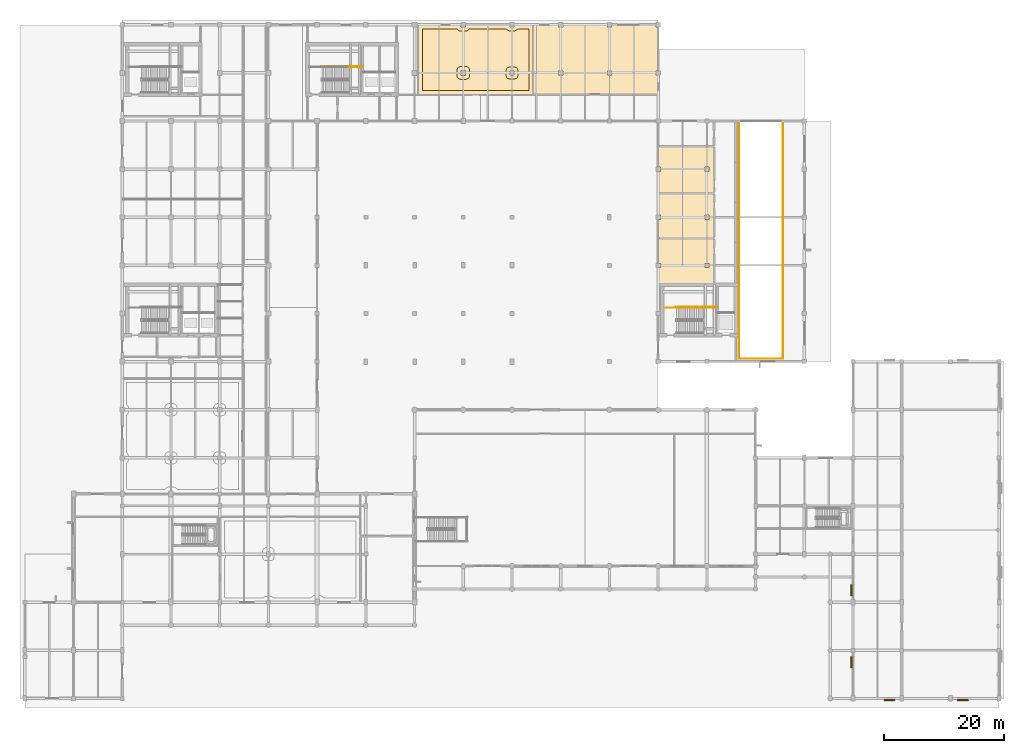
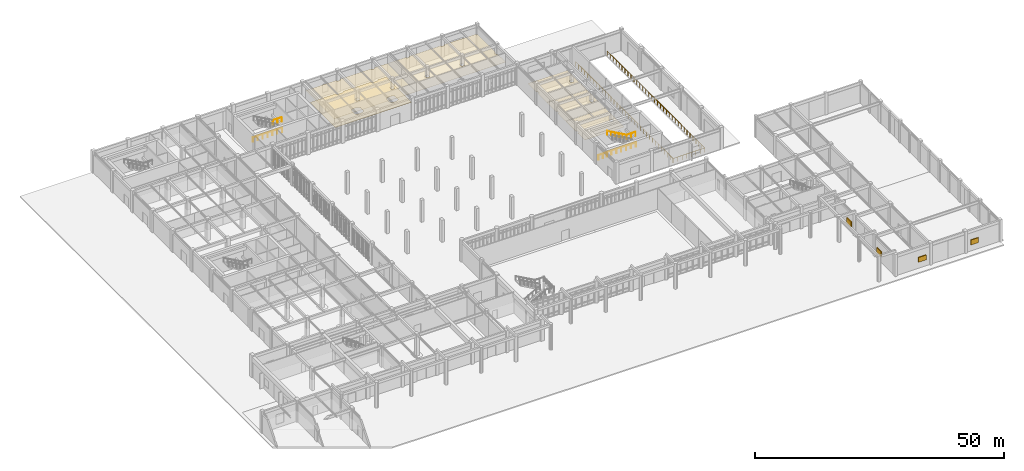
# One storey, part 59 of 62: 7 railings, 6 coverings, 4 shading devices.
"""IFC4 building model written with IfcOpenShell, lengths in metres."""

from ifc_helpers import new_model, si_unit, direction, frame, origin, origin_2d, place, context, subcontext, project, spatial, polyline, rectangle, circle, outline, extrude, material, layer, layer_set, type_object, element, save


model = new_model("IFC4")

# Units and contexts
model_context = context("Model", 3, precision=1e-05, world=origin(), true_north=direction((0.0, 1.0)))
body_context = subcontext(model_context, "Body", "Model", "MODEL_VIEW")
ifc_project = project(units=[si_unit("LENGTHUNIT", "METRE"), si_unit("AREAUNIT", "SQUARE_METRE"), si_unit("VOLUMEUNIT", "CUBIC_METRE"), si_unit("PLANEANGLEUNIT", "RADIAN"), si_unit("MASSUNIT", "GRAM", prefix="KILO")], contexts=[model_context])

# Site, building, storey
site_placement = place(None, origin())
site = spatial("IfcSite", under=ifc_project, at=site_placement, CompositionType="ELEMENT")
building_placement = place(site_placement, origin())
building = spatial("IfcBuilding", under=site, at=building_placement, Name="Tarnveldt Square Police Headquarters", CompositionType="ELEMENT")
storey_placement = place(building_placement, origin())
storey = spatial("IfcBuildingStorey", under=building, at=storey_placement, Name="L00", CompositionType="ELEMENT", Elevation=0.0)

# Coverings
ifc_material_1 = material(Name="Mineral-fibre acoustic ceiling tile", Category="gypsum")
ifc_layer_1 = layer(ifc_material_1, 0.02001953125)
ifc_layer_set_1 = layer_set([ifc_layer_1], Name="Mineral-fibre acoustic ceiling tile")
covering_type_1 = type_object("IfcCoveringType", Name="COV-CEIL-20", PredefinedType="CEILING", material=ifc_layer_set_1)
covering_1_placement = place(storey_placement, frame((0.0, 0.0, 2.75)))
element("IfcCovering", 1, at=covering_1_placement, inside=storey, type_object=covering_type_1, Name="Drive-Through Vehicular Sally Port Acoustic Ceiling", PredefinedType="CEILING", context=body_context, shape_type="SweptSolid", body=[
    extrude(outline(polyline([(105.35009765625, 91.75), (114.550048828125, 91.75), (114.550048828125, 84.050048828125), (105.35009765625, 84.050048828125), (105.35009765625, 87.64794921875), (105.652099609375, 87.64794921875), (105.652099609375, 88.35205078125), (105.35009765625, 88.35205078125), (105.35009765625, 91.75)]), holes=[polyline([(113.751953125, 88.35205078125), (113.048095703125, 88.35205078125), (113.048095703125, 87.64794921875), (113.751953125, 87.64794921875), (113.751953125, 88.35205078125)])]), origin(), (0.0, 0.0, 1.0), 0.02001953125),
])
covering_2_placement = place(storey_placement, frame((0.0, 0.0, 2.75)))
element("IfcCovering", 2, at=covering_2_placement, inside=storey, type_object=covering_type_1, Name="Custody Suite Booking and Charge Desk Acoustic Ceiling", PredefinedType="CEILING", context=body_context, shape_type="SweptSolid", body=[
    extrude(outline(polyline([(105.35009765625, 76.449951171875), (114.550048828125, 76.449951171875), (114.550048828125, 68.85009765625), (105.35009765625, 68.85009765625), (105.35009765625, 71.64794921875), (105.652099609375, 71.64794921875), (105.652099609375, 72.35205078125), (105.35009765625, 72.35205078125), (105.35009765625, 76.449951171875)]), holes=[polyline([(113.751953125, 72.35205078125), (113.048095703125, 72.35205078125), (113.048095703125, 71.64794921875), (113.751953125, 71.64794921875), (113.751953125, 72.35205078125)])]), origin(), (0.0, 0.0, 1.0), 0.02001953125),
])
covering_3_placement = place(storey_placement, frame((0.0, 0.0, 2.75)))
element("IfcCovering", 3, at=covering_3_placement, inside=storey, type_object=covering_type_1, Name="Custody Suite Adult Holding Cells Acoustic Ceiling", PredefinedType="CEILING", context=body_context, shape_type="SweptSolid", body=[
    extrude(outline(polyline([(105.35009765625, 83.949951171875), (114.550048828125, 83.949951171875), (114.550048828125, 76.550048828125), (105.35009765625, 76.550048828125), (105.35009765625, 79.64794921875), (105.652099609375, 79.64794921875), (105.652099609375, 80.35205078125), (105.35009765625, 80.35205078125), (105.35009765625, 83.949951171875)]), holes=[polyline([(113.048095703125, 80.35205078125), (113.048095703125, 79.64794921875), (113.751953125, 79.64794921875), (113.751953125, 80.35205078125), (113.048095703125, 80.35205078125)])]), origin(), (0.0, 0.0, 1.0), 0.02001953125),
])
covering_4_placement = place(storey_placement, frame((0.0, 0.0, 2.75)))
element("IfcCovering", 4, at=covering_4_placement, inside=storey, type_object=covering_type_1, Name="Forensic Evidence Intake Laboratory Acoustic Ceiling", PredefinedType="CEILING", context=body_context, shape_type="SweptSolid", body=[
    extrude(outline(polyline([(84.449951171875, 111.949951171875), (84.449951171875, 100.449951171875), (65.449951171875, 100.449951171875), (65.449951171875, 111.949951171875), (72.498046875, 111.949951171875), (72.498046875, 111.597900390625), (73.302001953125, 111.597900390625), (73.302001953125, 111.949951171875), (80.64794921875, 111.949951171875), (80.64794921875, 111.64794921875), (81.35205078125, 111.64794921875), (81.35205078125, 111.949951171875), (84.449951171875, 111.949951171875)]), holes=[polyline([(81.35205078125, 104.35205078125), (80.64794921875, 104.35205078125), (80.64794921875, 103.64794921875), (81.35205078125, 103.64794921875), (81.35205078125, 104.35205078125)]), polyline([(73.302001953125, 104.402099609375), (72.498046875, 104.402099609375), (72.498046875, 103.597900390625), (73.302001953125, 103.597900390625), (73.302001953125, 104.402099609375)])]), origin(), (0.0, 0.0, 1.0), 0.02001953125),
])
covering_5_placement = place(storey_placement, frame((0.0, 0.0, 2.75)))
element("IfcCovering", 5, at=covering_5_placement, inside=storey, type_object=covering_type_1, Name="Vehicle Forensic Examination Bay Acoustic Ceiling", PredefinedType="CEILING", context=body_context, shape_type="SweptSolid", body=[
    extrude(outline(polyline([(105.25, 100.449951171875), (84.550048828125, 100.449951171875), (84.550048828125, 111.949951171875), (88.748046875, 111.949951171875), (88.748046875, 111.64794921875), (89.451904296875, 111.64794921875), (89.451904296875, 111.949951171875), (96.847900390625, 111.949951171875), (96.847900390625, 111.64794921875), (97.552001953125, 111.64794921875), (97.552001953125, 111.949951171875), (104.947998046875, 111.949951171875), (104.947998046875, 111.64794921875), (105.25, 111.64794921875), (105.25, 104.35205078125), (104.947998046875, 104.35205078125), (104.947998046875, 103.64794921875), (105.25, 103.64794921875), (105.25, 100.449951171875)]), holes=[polyline([(97.552001953125, 104.35205078125), (96.847900390625, 104.35205078125), (96.847900390625, 103.64794921875), (97.552001953125, 103.64794921875), (97.552001953125, 104.35205078125)]), polyline([(89.451904296875, 104.35205078125), (88.748046875, 104.35205078125), (88.748046875, 103.64794921875), (89.451904296875, 103.64794921875), (89.451904296875, 104.35205078125)])]), origin(), (0.0, 0.0, 1.0), 0.02001953125),
])
ifc_material_2 = material(Name="Polished cementitious terrazzo flooring", Category="concrete")
ifc_layer_2 = layer(ifc_material_2, 0.02490234375)
ifc_layer_set_2 = layer_set([ifc_layer_2], Name="Polished cementitious terrazzo flooring")
covering_type_2 = type_object("IfcCoveringType", Name="COV-FLR-25", PredefinedType="FLOORING", material=ifc_layer_set_2)
covering_6_placement = place(storey_placement, origin())
element("IfcCovering", 6, at=covering_6_placement, inside=storey, type_object=covering_type_2, Name="Forensic Evidence Intake Laboratory Terrazzo Finish Flooring", PredefinedType="FLOORING", context=body_context, shape_type="SweptSolid", body=[
    extrude(outline(polyline([(71.920654296875, 111.300048828125), (71.9248046875, 111.29150390625), (71.95751953125, 111.23681640625), (71.99560546875, 111.185546875), (72.038330078125, 111.138427734375), (72.085693359375, 111.095458984375), (72.136962890625, 111.0576171875), (72.191650390625, 111.024658203125), (72.249267578125, 110.99755859375), (72.309326171875, 110.97607421875), (72.37109375, 110.96044921875), (72.434326171875, 110.951171875), (72.498046875, 110.947998046875), (73.302001953125, 110.947998046875), (73.36572265625, 110.951171875), (73.4287109375, 110.96044921875), (73.49072265625, 110.97607421875), (73.55078125, 110.99755859375), (73.6083984375, 111.024658203125), (73.6630859375, 111.0576171875), (73.71435546875, 111.095458984375), (73.76171875, 111.138427734375), (73.804443359375, 111.185546875), (73.842529296875, 111.23681640625), (73.875244140625, 111.29150390625), (73.879150390625, 111.300048828125), (80.099609375, 111.300048828125), (80.107666015625, 111.286865234375), (80.1455078125, 111.235595703125), (80.1884765625, 111.1884765625), (80.235595703125, 111.1455078125), (80.286865234375, 111.107666015625), (80.341552734375, 111.07470703125), (80.399169921875, 111.04736328125), (80.459228515625, 111.02587890625), (80.521240234375, 111.010498046875), (80.584228515625, 111.001220703125), (80.64794921875, 110.998046875), (81.35205078125, 110.998046875), (81.415771484375, 111.001220703125), (81.478759765625, 111.010498046875), (81.540771484375, 111.02587890625), (81.600830078125, 111.04736328125), (81.658447265625, 111.07470703125), (81.713134765625, 111.107666015625), (81.764404296875, 111.1455078125), (81.8115234375, 111.1884765625), (81.8544921875, 111.235595703125), (81.892333984375, 111.286865234375), (81.900390625, 111.300048828125), (83.800048828125, 111.300048828125), (83.800048828125, 101.10009765625), (66.10009765625, 101.10009765625), (66.10009765625, 111.300048828125), (71.920654296875, 111.300048828125)]), holes=[polyline([(82.001953125, 104.35205078125), (81.998779296875, 104.415771484375), (81.989501953125, 104.478759765625), (81.97412109375, 104.540771484375), (81.95263671875, 104.600830078125), (81.92529296875, 104.658447265625), (81.892333984375, 104.713134765625), (81.8544921875, 104.764404296875), (81.8115234375, 104.8115234375), (81.764404296875, 104.8544921875), (81.713134765625, 104.892333984375), (81.658447265625, 104.92529296875), (81.600830078125, 104.95263671875), (81.540771484375, 104.97412109375), (81.478759765625, 104.989501953125), (81.415771484375, 104.998779296875), (81.35205078125, 105.001953125), (80.64794921875, 105.001953125), (80.584228515625, 104.998779296875), (80.521240234375, 104.989501953125), (80.459228515625, 104.97412109375), (80.399169921875, 104.95263671875), (80.341552734375, 104.92529296875), (80.286865234375, 104.892333984375), (80.235595703125, 104.8544921875), (80.1884765625, 104.8115234375), (80.1455078125, 104.764404296875), (80.107666015625, 104.713134765625), (80.07470703125, 104.658447265625), (80.04736328125, 104.600830078125), (80.02587890625, 104.540771484375), (80.010498046875, 104.478759765625), (80.001220703125, 104.415771484375), (79.998046875, 104.35205078125), (79.998046875, 103.64794921875), (80.001220703125, 103.584228515625), (80.010498046875, 103.521240234375), (80.02587890625, 103.459228515625), (80.04736328125, 103.399169921875), (80.07470703125, 103.341552734375), (80.107666015625, 103.286865234375), (80.1455078125, 103.235595703125), (80.1884765625, 103.1884765625), (80.235595703125, 103.1455078125), (80.286865234375, 103.107666015625), (80.341552734375, 103.07470703125), (80.399169921875, 103.04736328125), (80.459228515625, 103.02587890625), (80.521240234375, 103.010498046875), (80.584228515625, 103.001220703125), (80.64794921875, 102.998046875), (81.35205078125, 102.998046875), (81.415771484375, 103.001220703125), (81.478759765625, 103.010498046875), (81.540771484375, 103.02587890625), (81.600830078125, 103.04736328125), (81.658447265625, 103.07470703125), (81.713134765625, 103.107666015625), (81.764404296875, 103.1455078125), (81.8115234375, 103.1884765625), (81.8544921875, 103.235595703125), (81.892333984375, 103.286865234375), (81.92529296875, 103.341552734375), (81.95263671875, 103.399169921875), (81.97412109375, 103.459228515625), (81.989501953125, 103.521240234375), (81.998779296875, 103.584228515625), (82.001953125, 103.64794921875), (82.001953125, 104.35205078125)]), polyline([(73.951904296875, 104.402099609375), (73.948974609375, 104.4658203125), (73.939453125, 104.52880859375), (73.924072265625, 104.590576171875), (73.902587890625, 104.650634765625), (73.875244140625, 104.70849609375), (73.842529296875, 104.76318359375), (73.804443359375, 104.814453125), (73.76171875, 104.861572265625), (73.71435546875, 104.904541015625), (73.6630859375, 104.9423828125), (73.6083984375, 104.975341796875), (73.55078125, 105.00244140625), (73.49072265625, 105.02392578125), (73.4287109375, 105.03955078125), (73.36572265625, 105.048828125), (73.302001953125, 105.052001953125), (72.498046875, 105.052001953125), (72.434326171875, 105.048828125), (72.37109375, 105.03955078125), (72.309326171875, 105.02392578125), (72.249267578125, 105.00244140625), (72.191650390625, 104.975341796875), (72.136962890625, 104.9423828125), (72.085693359375, 104.904541015625), (72.038330078125, 104.861572265625), (71.99560546875, 104.814453125), (71.95751953125, 104.76318359375), (71.9248046875, 104.70849609375), (71.8974609375, 104.650634765625), (71.8759765625, 104.590576171875), (71.860595703125, 104.52880859375), (71.85107421875, 104.4658203125), (71.847900390625, 104.402099609375), (71.847900390625, 103.597900390625), (71.85107421875, 103.5341796875), (71.860595703125, 103.47119140625), (71.8759765625, 103.409423828125), (71.8974609375, 103.349365234375), (71.9248046875, 103.29150390625), (71.95751953125, 103.23681640625), (71.99560546875, 103.185546875), (72.038330078125, 103.138427734375), (72.085693359375, 103.095458984375), (72.136962890625, 103.0576171875), (72.191650390625, 103.024658203125), (72.249267578125, 102.99755859375), (72.309326171875, 102.97607421875), (72.37109375, 102.96044921875), (72.434326171875, 102.951171875), (72.498046875, 102.947998046875), (73.302001953125, 102.947998046875), (73.36572265625, 102.951171875), (73.4287109375, 102.96044921875), (73.49072265625, 102.97607421875), (73.55078125, 102.99755859375), (73.6083984375, 103.024658203125), (73.6630859375, 103.0576171875), (73.71435546875, 103.095458984375), (73.76171875, 103.138427734375), (73.804443359375, 103.185546875), (73.842529296875, 103.23681640625), (73.875244140625, 103.29150390625), (73.902587890625, 103.349365234375), (73.924072265625, 103.409423828125), (73.939453125, 103.47119140625), (73.948974609375, 103.5341796875), (73.951904296875, 103.597900390625), (73.951904296875, 104.402099609375)])]), origin(), (0.0, 0.0, 1.0), 0.02490234375),
])

# Railings
ifc_material_3 = material(Name="Steel 350W", Category="steel")
railing_type_1 = type_object("IfcRailingType", Name="RL-GR-1100", PredefinedType="GUARDRAIL", material=ifc_material_3)
railing_1_placement = place(storey_placement, frame((53.8701171875, 104.969970703125, 2.699951171875)))
element("IfcRailing", 7, at=railing_1_placement, inside=storey, type_object=railing_type_1, Name="L00 ST3 stair guard 3", PredefinedType="GUARDRAIL", context=body_context, shape_type="SweptSolid", body=[
    extrude(circle(Radius=0.02392578125, at=origin_2d()), frame((0.0, 0.0, 1.076171875), z_axis=(1.0, 0.0, 0.0), x_axis=(0.0, 1.0, 0.0)), (0.0, 0.0, 1.0), 2.099853515625),
    extrude(circle(Radius=0.02099609375, at=origin_2d()), origin(), (0.0, 0.0, 1.0), 1.052001953125),
    extrude(circle(Radius=0.02099609375, at=origin_2d()), frame((1.0498046875, 0.0, 0.0)), (0.0, 0.0, 1.0), 1.052001953125),
    extrude(circle(Radius=0.02099609375, at=origin_2d()), frame((2.099853515625, 0.0, 0.0)), (0.0, 0.0, 1.0), 1.052001953125),
])
railing_2_placement = place(storey_placement, frame((49.27001953125, 105.070068359375, 0.0)))
element("IfcRailing", 8, at=railing_2_placement, inside=storey, type_object=railing_type_1, Name="L00 ST3 stair guard 7", PredefinedType="GUARDRAIL", context=body_context, shape_type="SweptSolid", body=[
    extrude(circle(Radius=0.02392578125, at=origin_2d()), frame((0.0, 0.0, 1.076171875), z_axis=(1.0, 0.0, 0.0), x_axis=(0.0, 1.0, 0.0)), (0.0, 0.0, 1.0), 6.800048828125),
    extrude(circle(Radius=0.02099609375, at=origin_2d()), origin(), (0.0, 0.0, 1.0), 1.052001953125),
    extrude(circle(Radius=0.02099609375, at=origin_2d()), frame((1.13330078125, 0.0, 0.0)), (0.0, 0.0, 1.0), 1.052001953125),
    extrude(circle(Radius=0.02099609375, at=origin_2d()), frame((2.2666015625, 0.0, 0.0)), (0.0, 0.0, 1.0), 1.052001953125),
    extrude(circle(Radius=0.02099609375, at=origin_2d()), frame((3.39990234375, 0.0, 0.0)), (0.0, 0.0, 1.0), 1.052001953125),
    extrude(circle(Radius=0.02099609375, at=origin_2d()), frame((4.533447265625, 0.0, 0.0)), (0.0, 0.0, 1.0), 1.052001953125),
    extrude(circle(Radius=0.02099609375, at=origin_2d()), frame((5.666748046875, 0.0, 0.0)), (0.0, 0.0, 1.0), 1.052001953125),
    extrude(circle(Radius=0.02099609375, at=origin_2d()), frame((6.800048828125, 0.0, 0.0)), (0.0, 0.0, 1.0), 1.052001953125),
])
railing_3_placement = place(storey_placement, frame((112.8701171875, 64.969970703125, 2.699951171875)))
element("IfcRailing", 9, at=railing_3_placement, inside=storey, type_object=railing_type_1, Name="L00 ST4 stair guard 3", PredefinedType="GUARDRAIL", context=body_context, shape_type="SweptSolid", body=[
    extrude(circle(Radius=0.02392578125, at=origin_2d()), frame((0.0, 0.0, 1.076171875), z_axis=(1.0, 0.0, 0.0), x_axis=(0.0, 1.0, 0.0)), (0.0, 0.0, 1.0), 2.099853515625),
    extrude(circle(Radius=0.02099609375, at=origin_2d()), origin(), (0.0, 0.0, 1.0), 1.052001953125),
    extrude(circle(Radius=0.02099609375, at=origin_2d()), frame((1.0498046875, 0.0, 0.0)), (0.0, 0.0, 1.0), 1.052001953125),
    extrude(circle(Radius=0.02099609375, at=origin_2d()), frame((2.099853515625, 0.0, 0.0)), (0.0, 0.0, 1.0), 1.052001953125),
])
railing_4_placement = place(storey_placement, frame((106.320068359375, 64.969970703125, 0.0)))
element("IfcRailing", 10, at=railing_4_placement, inside=storey, type_object=railing_type_1, Name="L00 ST4 stair guard 6", PredefinedType="GUARDRAIL", context=body_context, shape_type="SweptSolid", body=[
    extrude(circle(Radius=0.02392578125, at=origin_2d()), frame((0.0, 0.0, 1.076171875), z_axis=(1.0, 0.0, 0.0), x_axis=(0.0, 1.0, 0.0)), (0.0, 0.0, 1.0), 2.050048828125),
    extrude(circle(Radius=0.02099609375, at=origin_2d()), origin(), (0.0, 0.0, 1.0), 1.052001953125),
    extrude(circle(Radius=0.02099609375, at=origin_2d()), frame((1.02490234375, 0.0, 0.0)), (0.0, 0.0, 1.0), 1.052001953125),
    extrude(circle(Radius=0.02099609375, at=origin_2d()), frame((2.050048828125, 0.0, 0.0)), (0.0, 0.0, 1.0), 1.052001953125),
])
railing_5_placement = place(storey_placement, frame((108.27001953125, 65.070068359375, 0.0)))
element("IfcRailing", 11, at=railing_5_placement, inside=storey, type_object=railing_type_1, Name="L00 ST4 stair guard 7", PredefinedType="GUARDRAIL", context=body_context, shape_type="SweptSolid", body=[
    extrude(circle(Radius=0.02392578125, at=origin_2d()), frame((0.0, 0.0, 1.076171875), z_axis=(1.0, 0.0, 0.0), x_axis=(0.0, 1.0, 0.0)), (0.0, 0.0, 1.0), 6.800048828125),
    extrude(circle(Radius=0.02099609375, at=origin_2d()), origin(), (0.0, 0.0, 1.0), 1.052001953125),
    extrude(circle(Radius=0.02099609375, at=origin_2d()), frame((1.13330078125, 0.0, 0.0)), (0.0, 0.0, 1.0), 1.052001953125),
    extrude(circle(Radius=0.02099609375, at=origin_2d()), frame((2.2666015625, 0.0, 0.0)), (0.0, 0.0, 1.0), 1.052001953125),
    extrude(circle(Radius=0.02099609375, at=origin_2d()), frame((3.39990234375, 0.0, 0.0)), (0.0, 0.0, 1.0), 1.052001953125),
    extrude(circle(Radius=0.02099609375, at=origin_2d()), frame((4.533447265625, 0.0, 0.0)), (0.0, 0.0, 1.0), 1.052001953125),
    extrude(circle(Radius=0.02099609375, at=origin_2d()), frame((5.666748046875, 0.0, 0.0)), (0.0, 0.0, 1.0), 1.052001953125),
    extrude(circle(Radius=0.02099609375, at=origin_2d()), frame((6.800048828125, 0.0, 0.0)), (0.0, 0.0, 1.0), 1.052001953125),
])
railing_6_placement = place(storey_placement, frame((118.719970703125, 95.64990234375, 0.0)))
element("IfcRailing", 12, at=railing_6_placement, inside=storey, type_object=railing_type_1, Name="Vehicle Ramp VR1 L00 Well Perimeter Guardrail", PredefinedType="GUARDRAIL", context=body_context, shape_type="SweptSolid", body=[
    extrude(circle(Radius=0.02392578125, at=origin_2d()), frame((0.0, 0.0, 1.076171875), z_axis=(0.0, -1.0, 0.0), x_axis=(1.0, 0.0, 0.0)), (0.0, 0.0, 1.0), 39.179931640625),
    extrude(circle(Radius=0.02392578125, at=origin_2d()), frame((0.0, -39.179931640625, 1.076171875), z_axis=(1.0, 0.0, 0.0), x_axis=(0.0, 1.0, 0.0)), (0.0, 0.0, 1.0), 7.360107421875),
    extrude(circle(Radius=0.02392578125, at=origin_2d()), frame((7.360107421875, -39.179931640625, 1.076171875), z_axis=(0.0, 1.0, 0.0), x_axis=(-1.0, 0.0, 0.0)), (0.0, 0.0, 1.0), 39.179931640625),
    extrude(circle(Radius=0.02099609375, at=origin_2d()), origin(), (0.0, 0.0, 1.0), 1.052001953125),
    extrude(circle(Radius=0.02099609375, at=origin_2d()), frame((0.0, -1.187255859375, 0.0)), (0.0, 0.0, 1.0), 1.052001953125),
    extrude(circle(Radius=0.02099609375, at=origin_2d()), frame((0.0, -2.37451171875, 0.0)), (0.0, 0.0, 1.0), 1.052001953125),
    extrude(circle(Radius=0.02099609375, at=origin_2d()), frame((0.0, -3.561767578125, 0.0)), (0.0, 0.0, 1.0), 1.052001953125),
    extrude(circle(Radius=0.02099609375, at=origin_2d()), frame((0.0, -4.7490234375, 0.0)), (0.0, 0.0, 1.0), 1.052001953125),
    extrude(circle(Radius=0.02099609375, at=origin_2d()), frame((0.0, -5.936279296875, 0.0)), (0.0, 0.0, 1.0), 1.052001953125),
    extrude(circle(Radius=0.02099609375, at=origin_2d()), frame((0.0, -7.12353515625, 0.0)), (0.0, 0.0, 1.0), 1.052001953125),
    extrude(circle(Radius=0.02099609375, at=origin_2d()), frame((0.0, -8.310791015625, 0.0)), (0.0, 0.0, 1.0), 1.052001953125),
    extrude(circle(Radius=0.02099609375, at=origin_2d()), frame((0.0, -9.498046875, 0.0)), (0.0, 0.0, 1.0), 1.052001953125),
    extrude(circle(Radius=0.02099609375, at=origin_2d()), frame((0.0, -10.685546875, 0.0)), (0.0, 0.0, 1.0), 1.052001953125),
    extrude(circle(Radius=0.02099609375, at=origin_2d()), frame((0.0, -11.872802734375, 0.0)), (0.0, 0.0, 1.0), 1.052001953125),
    extrude(circle(Radius=0.02099609375, at=origin_2d()), frame((0.0, -13.06005859375, 0.0)), (0.0, 0.0, 1.0), 1.052001953125),
    extrude(circle(Radius=0.02099609375, at=origin_2d()), frame((0.0, -14.247314453125, 0.0)), (0.0, 0.0, 1.0), 1.052001953125),
    extrude(circle(Radius=0.02099609375, at=origin_2d()), frame((0.0, -15.4345703125, 0.0)), (0.0, 0.0, 1.0), 1.052001953125),
    extrude(circle(Radius=0.02099609375, at=origin_2d()), frame((0.0, -16.621826171875, 0.0)), (0.0, 0.0, 1.0), 1.052001953125),
    extrude(circle(Radius=0.02099609375, at=origin_2d()), frame((0.0, -17.80908203125, 0.0)), (0.0, 0.0, 1.0), 1.052001953125),
    extrude(circle(Radius=0.02099609375, at=origin_2d()), frame((0.0, -18.996337890625, 0.0)), (0.0, 0.0, 1.0), 1.052001953125),
    extrude(circle(Radius=0.02099609375, at=origin_2d()), frame((0.0, -20.18359375, 0.0)), (0.0, 0.0, 1.0), 1.052001953125),
    extrude(circle(Radius=0.02099609375, at=origin_2d()), frame((0.0, -21.370849609375, 0.0)), (0.0, 0.0, 1.0), 1.052001953125),
    extrude(circle(Radius=0.02099609375, at=origin_2d()), frame((0.0, -22.55810546875, 0.0)), (0.0, 0.0, 1.0), 1.052001953125),
    extrude(circle(Radius=0.02099609375, at=origin_2d()), frame((0.0, -23.745361328125, 0.0)), (0.0, 0.0, 1.0), 1.052001953125),
    extrude(circle(Radius=0.02099609375, at=origin_2d()), frame((0.0, -24.9326171875, 0.0)), (0.0, 0.0, 1.0), 1.052001953125),
    extrude(circle(Radius=0.02099609375, at=origin_2d()), frame((0.0, -26.119873046875, 0.0)), (0.0, 0.0, 1.0), 1.052001953125),
    extrude(circle(Radius=0.02099609375, at=origin_2d()), frame((0.0, -27.30712890625, 0.0)), (0.0, 0.0, 1.0), 1.052001953125),
    extrude(circle(Radius=0.02099609375, at=origin_2d()), frame((0.0, -28.494384765625, 0.0)), (0.0, 0.0, 1.0), 1.052001953125),
    extrude(circle(Radius=0.02099609375, at=origin_2d()), frame((0.0, -29.681884765625, 0.0)), (0.0, 0.0, 1.0), 1.052001953125),
    extrude(circle(Radius=0.02099609375, at=origin_2d()), frame((0.0, -30.869140625, 0.0)), (0.0, 0.0, 1.0), 1.052001953125),
    extrude(circle(Radius=0.02099609375, at=origin_2d()), frame((0.0, -32.056396484375, 0.0)), (0.0, 0.0, 1.0), 1.052001953125),
    extrude(circle(Radius=0.02099609375, at=origin_2d()), frame((0.0, -33.24365234375, 0.0)), (0.0, 0.0, 1.0), 1.052001953125),
    extrude(circle(Radius=0.02099609375, at=origin_2d()), frame((0.0, -34.430908203125, 0.0)), (0.0, 0.0, 1.0), 1.052001953125),
    extrude(circle(Radius=0.02099609375, at=origin_2d()), frame((0.0, -35.6181640625, 0.0)), (0.0, 0.0, 1.0), 1.052001953125),
    extrude(circle(Radius=0.02099609375, at=origin_2d()), frame((0.0, -36.805419921875, 0.0)), (0.0, 0.0, 1.0), 1.052001953125),
    extrude(circle(Radius=0.02099609375, at=origin_2d()), frame((0.0, -37.99267578125, 0.0)), (0.0, 0.0, 1.0), 1.052001953125),
    extrude(circle(Radius=0.02099609375, at=origin_2d()), frame((0.0, -39.179931640625, 0.0)), (0.0, 0.0, 1.0), 1.052001953125),
    extrude(circle(Radius=0.02099609375, at=origin_2d()), frame((1.051513671875, -39.179931640625, 0.0)), (0.0, 0.0, 1.0), 1.052001953125),
    extrude(circle(Radius=0.02099609375, at=origin_2d()), frame((2.102783203125, -39.179931640625, 0.0)), (0.0, 0.0, 1.0), 1.052001953125),
    extrude(circle(Radius=0.02099609375, at=origin_2d()), frame((3.154296875, -39.179931640625, 0.0)), (0.0, 0.0, 1.0), 1.052001953125),
    extrude(circle(Radius=0.02099609375, at=origin_2d()), frame((4.205810546875, -39.179931640625, 0.0)), (0.0, 0.0, 1.0), 1.052001953125),
    extrude(circle(Radius=0.02099609375, at=origin_2d()), frame((5.25732421875, -39.179931640625, 0.0)), (0.0, 0.0, 1.0), 1.052001953125),
    extrude(circle(Radius=0.02099609375, at=origin_2d()), frame((6.30859375, -39.179931640625, 0.0)), (0.0, 0.0, 1.0), 1.052001953125),
    extrude(circle(Radius=0.02099609375, at=origin_2d()), frame((7.360107421875, -39.179931640625, 0.0)), (0.0, 0.0, 1.0), 1.052001953125),
    extrude(circle(Radius=0.02099609375, at=origin_2d()), frame((7.360107421875, -37.99267578125, 0.0)), (0.0, 0.0, 1.0), 1.052001953125),
    extrude(circle(Radius=0.02099609375, at=origin_2d()), frame((7.360107421875, -36.805419921875, 0.0)), (0.0, 0.0, 1.0), 1.052001953125),
    extrude(circle(Radius=0.02099609375, at=origin_2d()), frame((7.360107421875, -35.6181640625, 0.0)), (0.0, 0.0, 1.0), 1.052001953125),
    extrude(circle(Radius=0.02099609375, at=origin_2d()), frame((7.360107421875, -34.430908203125, 0.0)), (0.0, 0.0, 1.0), 1.052001953125),
    extrude(circle(Radius=0.02099609375, at=origin_2d()), frame((7.360107421875, -33.24365234375, 0.0)), (0.0, 0.0, 1.0), 1.052001953125),
    extrude(circle(Radius=0.02099609375, at=origin_2d()), frame((7.360107421875, -32.056396484375, 0.0)), (0.0, 0.0, 1.0), 1.052001953125),
    extrude(circle(Radius=0.02099609375, at=origin_2d()), frame((7.360107421875, -30.869140625, 0.0)), (0.0, 0.0, 1.0), 1.052001953125),
    extrude(circle(Radius=0.02099609375, at=origin_2d()), frame((7.360107421875, -29.681884765625, 0.0)), (0.0, 0.0, 1.0), 1.052001953125),
    extrude(circle(Radius=0.02099609375, at=origin_2d()), frame((7.360107421875, -28.494384765625, 0.0)), (0.0, 0.0, 1.0), 1.052001953125),
    extrude(circle(Radius=0.02099609375, at=origin_2d()), frame((7.360107421875, -27.30712890625, 0.0)), (0.0, 0.0, 1.0), 1.052001953125),
    extrude(circle(Radius=0.02099609375, at=origin_2d()), frame((7.360107421875, -26.119873046875, 0.0)), (0.0, 0.0, 1.0), 1.052001953125),
    extrude(circle(Radius=0.02099609375, at=origin_2d()), frame((7.360107421875, -24.9326171875, 0.0)), (0.0, 0.0, 1.0), 1.052001953125),
    extrude(circle(Radius=0.02099609375, at=origin_2d()), frame((7.360107421875, -23.745361328125, 0.0)), (0.0, 0.0, 1.0), 1.052001953125),
    extrude(circle(Radius=0.02099609375, at=origin_2d()), frame((7.360107421875, -22.55810546875, 0.0)), (0.0, 0.0, 1.0), 1.052001953125),
    extrude(circle(Radius=0.02099609375, at=origin_2d()), frame((7.360107421875, -21.370849609375, 0.0)), (0.0, 0.0, 1.0), 1.052001953125),
    extrude(circle(Radius=0.02099609375, at=origin_2d()), frame((7.360107421875, -20.18359375, 0.0)), (0.0, 0.0, 1.0), 1.052001953125),
    extrude(circle(Radius=0.02099609375, at=origin_2d()), frame((7.360107421875, -18.996337890625, 0.0)), (0.0, 0.0, 1.0), 1.052001953125),
    extrude(circle(Radius=0.02099609375, at=origin_2d()), frame((7.360107421875, -17.80908203125, 0.0)), (0.0, 0.0, 1.0), 1.052001953125),
    extrude(circle(Radius=0.02099609375, at=origin_2d()), frame((7.360107421875, -16.621826171875, 0.0)), (0.0, 0.0, 1.0), 1.052001953125),
    extrude(circle(Radius=0.02099609375, at=origin_2d()), frame((7.360107421875, -15.4345703125, 0.0)), (0.0, 0.0, 1.0), 1.052001953125),
    extrude(circle(Radius=0.02099609375, at=origin_2d()), frame((7.360107421875, -14.247314453125, 0.0)), (0.0, 0.0, 1.0), 1.052001953125),
    extrude(circle(Radius=0.02099609375, at=origin_2d()), frame((7.360107421875, -13.06005859375, 0.0)), (0.0, 0.0, 1.0), 1.052001953125),
    extrude(circle(Radius=0.02099609375, at=origin_2d()), frame((7.360107421875, -11.872802734375, 0.0)), (0.0, 0.0, 1.0), 1.052001953125),
    extrude(circle(Radius=0.02099609375, at=origin_2d()), frame((7.360107421875, -10.685546875, 0.0)), (0.0, 0.0, 1.0), 1.052001953125),
    extrude(circle(Radius=0.02099609375, at=origin_2d()), frame((7.360107421875, -9.498046875, 0.0)), (0.0, 0.0, 1.0), 1.052001953125),
    extrude(circle(Radius=0.02099609375, at=origin_2d()), frame((7.360107421875, -8.310791015625, 0.0)), (0.0, 0.0, 1.0), 1.052001953125),
    extrude(circle(Radius=0.02099609375, at=origin_2d()), frame((7.360107421875, -7.12353515625, 0.0)), (0.0, 0.0, 1.0), 1.052001953125),
    extrude(circle(Radius=0.02099609375, at=origin_2d()), frame((7.360107421875, -5.936279296875, 0.0)), (0.0, 0.0, 1.0), 1.052001953125),
    extrude(circle(Radius=0.02099609375, at=origin_2d()), frame((7.360107421875, -4.7490234375, 0.0)), (0.0, 0.0, 1.0), 1.052001953125),
    extrude(circle(Radius=0.02099609375, at=origin_2d()), frame((7.360107421875, -3.561767578125, 0.0)), (0.0, 0.0, 1.0), 1.052001953125),
    extrude(circle(Radius=0.02099609375, at=origin_2d()), frame((7.360107421875, -2.37451171875, 0.0)), (0.0, 0.0, 1.0), 1.052001953125),
    extrude(circle(Radius=0.02099609375, at=origin_2d()), frame((7.360107421875, -1.187255859375, 0.0)), (0.0, 0.0, 1.0), 1.052001953125),
    extrude(circle(Radius=0.02099609375, at=origin_2d()), frame((7.360107421875, 0.0, 0.0)), (0.0, 0.0, 1.0), 1.052001953125),
])
railing_type_2 = type_object("IfcRailingType", Name="RL-HR-900", PredefinedType="HANDRAIL", material=ifc_material_3)
railing_7_placement = place(storey_placement, frame((112.8701171875, 64.969970703125, 2.86865234375)))
element("IfcRailing", 13, at=railing_7_placement, inside=storey, type_object=railing_type_2, Name="L00 ST4 stair handrail 2", PredefinedType="HANDRAIL", context=body_context, shape_type="SweptSolid", body=[
    extrude(circle(Radius=0.02392578125, at=origin_2d()), frame((0.0, 0.0, 0.8759765625), z_axis=(-0.871575537125, 0.0, 0.490261239633), x_axis=(0.0, -1.0, 0.0)), (0.0, 0.0, 1.0), 5.1630859375),
    extrude(circle(Radius=0.02099609375, at=origin_2d()), origin(), (0.0, 0.0, 1.0), 0.851806640625),
    extrude(circle(Radius=0.02099609375, at=origin_2d()), frame((-0.89990234375, 0.0, 0.50634765625)), (0.0, 0.0, 1.0), 0.851806640625),
    extrude(circle(Radius=0.02099609375, at=origin_2d()), frame((-1.800048828125, 0.0, 1.012451171875)), (0.0, 0.0, 1.0), 0.851806640625),
    extrude(circle(Radius=0.02099609375, at=origin_2d()), frame((-2.699951171875, 0.0, 1.518798828125)), (0.0, 0.0, 1.0), 0.851806640625),
    extrude(circle(Radius=0.02099609375, at=origin_2d()), frame((-3.60009765625, 0.0, 2.02490234375)), (0.0, 0.0, 1.0), 0.851806640625),
    extrude(circle(Radius=0.02099609375, at=origin_2d()), frame((-4.5, 0.0, 2.53125)), (0.0, 0.0, 1.0), 0.851806640625),
])

# Shading devices
ifc_material_4 = material(Name="Thermally broken anodised aluminium 6063-T6", Category="aluminium")
ifc_layer_3 = layer(ifc_material_4, 0.219970703125)
ifc_layer_set_3 = layer_set([ifc_layer_3], Name="Thermally broken anodised aluminium 6063-T6")
shading_device_type = type_object("IfcShadingDeviceType", Name="SHD-LVR-1800", PredefinedType="USERDEFINED", material=ifc_layer_set_3)
for number, where, z_axis, x_axis, name in (
    (14, (137.419921875, 18.0, 1.60009765625), (0.0, 0.0, 1.0), (0.0, -1.0, 0.0), "Acoustic Firing-Range Intake Louvre 1"),
    (15, (137.419921875, 6.0, 1.60009765625), (0.0, 0.0, 1.0), (0.0, -1.0, 0.0), "Acoustic Firing-Range Intake Louvre 2"),
    (16, (143.77490234375, -0.280029296875, 1.60009765625), (0.0, 0.0, 1.0), (1.0, 0.0, 0.0), "Acoustic Firing-Range Intake Louvre 3"),
    (17, (155.925048828125, -0.280029296875, 1.60009765625), (0.0, 0.0, 1.0), (1.0, 0.0, 0.0), "Acoustic Firing-Range Intake Louvre 4"),
):
    element("IfcShadingDevice", number, at=place(storey_placement, frame(where, z_axis=z_axis, x_axis=x_axis)), inside=storey, type_object=shading_device_type, Name=name, ObjectType="ACOUSTIC LOUVER", PredefinedType="USERDEFINED", context=body_context, shape_type="SweptSolid", body=[
        extrude(rectangle(XDim=1.800048828125, YDim=0.219970703125, at=origin_2d()), origin(), (0.0, 0.0, 1.0), 1.199951171875),
    ])

save(model, "model.ifc")
